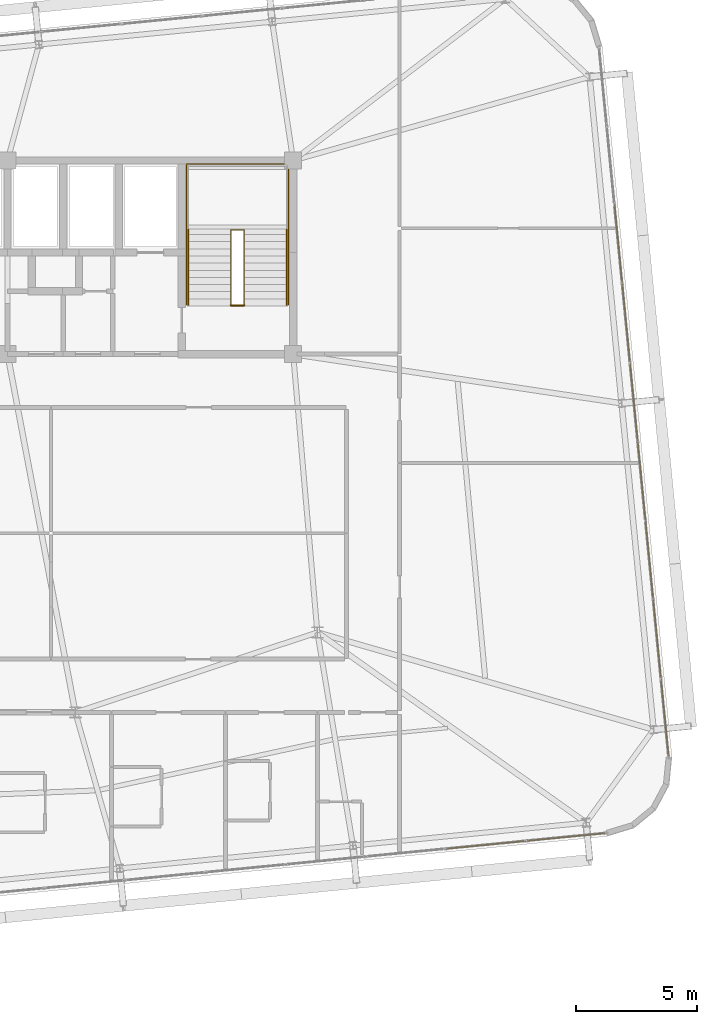
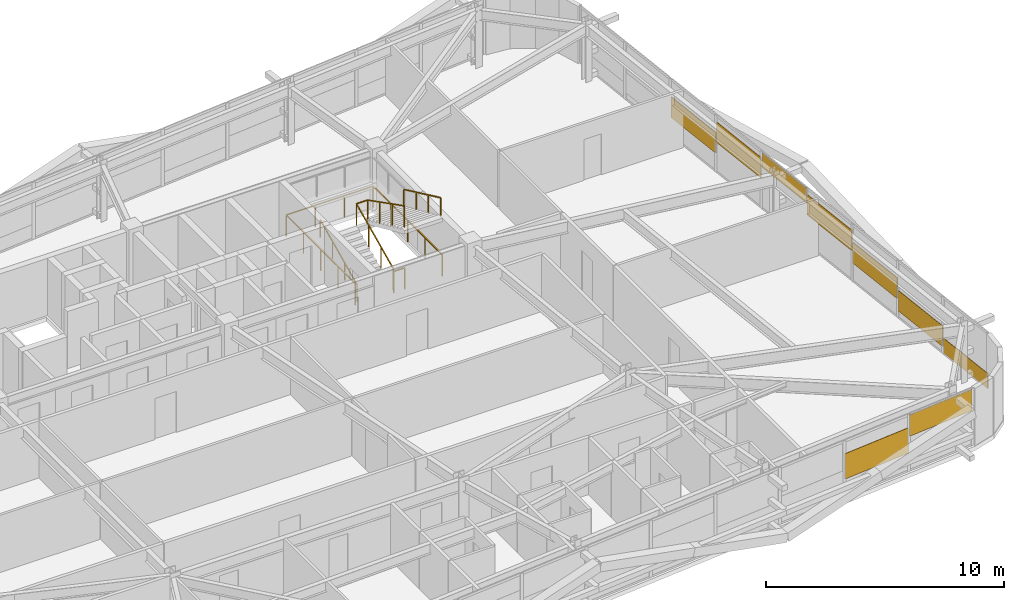
# One storey, part 53 of 54: 9 coverings, 5 railings.
"""IFC4 building model written with IfcOpenShell, lengths in metres."""

from ifc_helpers import new_model, si_unit, direction, frame, origin, origin_2d, place, context, subcontext, project, spatial, rectangle, extrude, source, transform, mapped, material, layer, layer_set, type_object, element, save


model = new_model("IFC4")

# Units and contexts
model_context = context("Model", 3, precision=1e-05, world=origin(), true_north=direction((0.0, 1.0)))
body_context = subcontext(model_context, "Body", "Model", "MODEL_VIEW")
ifc_project = project(units=[si_unit("LENGTHUNIT", "METRE"), si_unit("AREAUNIT", "SQUARE_METRE"), si_unit("VOLUMEUNIT", "CUBIC_METRE"), si_unit("PLANEANGLEUNIT", "RADIAN"), si_unit("MASSUNIT", "GRAM", prefix="KILO")], contexts=[model_context])

# Site, building, storey
site_placement = place(None, origin())
site = spatial("IfcSite", under=ifc_project, at=site_placement, CompositionType="ELEMENT")
building_placement = place(site_placement, origin())
building = spatial("IfcBuilding", under=site, at=building_placement, Name="Taldren Reach Tower", CompositionType="ELEMENT")
storey_placement = place(building_placement, frame((0.0, 0.0, 99.75)))
storey = spatial("IfcBuildingStorey", under=building, at=storey_placement, Name="L30", CompositionType="ELEMENT", Elevation=99.75)

# Railings
ifc_material_1 = material(Name="Steel Gr 350 (C350L0)", Category="steel")
ifc_layer_1 = layer(ifc_material_1, 0.050048828125)
ifc_layer_set_1 = layer_set([ifc_layer_1], Name="Steel Gr 350 (C350L0)")
railing_type_1 = type_object("IfcRailingType", Name="RL-STAIR-GR", PredefinedType="GUARDRAIL", material=ifc_layer_set_1)
railing_1_placement = place(storey_placement, frame((48.429931640625, 26.050048828125, 0.131103515625)))
element("IfcRailing", 1, at=railing_1_placement, inside=storey, type_object=railing_type_1, Name="Stairwell inner guard ST2-L30", PredefinedType="GUARDRAIL", context=body_context, shape_type="SweptSolid", body=[
    extrude(rectangle(XDim=0.047852, YDim=0.047852, at=origin_2d()), frame((0.0, 0.0, 1.09619140625), z_axis=(0.0, 0.905710134349, 0.423897573167), x_axis=(-1.0, 0.0, 0.0)), (0.0, 0.0, 1.0), 3.406005859375),
    extrude(rectangle(XDim=0.047852, YDim=0.047852, at=origin_2d()), frame((0.0, 3.0849609375, 2.5400390625), z_axis=(1.0, 0.0, 0.0), x_axis=(0.0, 1.0, 0.0)), (0.0, 0.0, 1.0), 0.5400390625),
    extrude(rectangle(XDim=0.047852, YDim=0.047852, at=origin_2d()), frame((0.5400390625, 3.0849609375, 2.5400390625), z_axis=(0.0, -0.890645957773, 0.45469745755), x_axis=(1.0, 0.0, 0.0)), (0.0, 0.0, 1.0), 3.463623046875),
    extrude(rectangle(XDim=0.041992, YDim=0.041992, at=origin_2d()), origin(), (0.0, 0.0, 1.0), 1.072021484375),
    extrude(rectangle(XDim=0.041992, YDim=0.041992, at=origin_2d()), frame((0.0, 1.0283203125, 0.481201171875)), (0.0, 0.0, 1.0), 1.072021484375),
    extrude(rectangle(XDim=0.041992, YDim=0.041992, at=origin_2d()), frame((0.0, 2.056640625, 0.962646484375)), (0.0, 0.0, 1.0), 1.072021484375),
    extrude(rectangle(XDim=0.041992, YDim=0.041992, at=origin_2d()), frame((0.0, 3.0849609375, 1.44384765625)), (0.0, 0.0, 1.0), 1.072021484375),
    extrude(rectangle(XDim=0.041992, YDim=0.041992, at=origin_2d()), frame((0.5400390625, 3.0849609375, 1.44384765625)), (0.0, 0.0, 1.0), 1.072021484375),
    extrude(rectangle(XDim=0.041992, YDim=0.041992, at=origin_2d()), frame((0.5400390625, 2.056640625, 1.96875)), (0.0, 0.0, 1.0), 1.072021484375),
    extrude(rectangle(XDim=0.041992, YDim=0.041992, at=origin_2d()), frame((0.5400390625, 1.0283203125, 2.493896484375)), (0.0, 0.0, 1.0), 1.072021484375),
    extrude(rectangle(XDim=0.041992, YDim=0.041992, at=origin_2d()), frame((0.5400390625, 0.0, 3.018798828125)), (0.0, 0.0, 1.0), 1.072021484375),
])
railing_2_placement = place(storey_placement, frame((48.429931640625, 26.010009765625, 0.0)))
element("IfcRailing", 2, at=railing_2_placement, inside=storey, type_object=railing_type_1, Name="Stairwell landing slot guard ST2-L30", PredefinedType="GUARDRAIL", context=body_context, shape_type="SweptSolid", body=[
    extrude(rectangle(XDim=0.047852, YDim=0.047852, at=origin_2d()), frame((0.0, 0.0, 1.09619140625), z_axis=(1.0, 0.0, 0.0), x_axis=(0.0, 1.0, 0.0)), (0.0, 0.0, 1.0), 0.5400390625),
    extrude(rectangle(XDim=0.041992, YDim=0.041992, at=origin_2d()), origin(), (0.0, 0.0, 1.0), 1.072021484375),
    extrude(rectangle(XDim=0.041992, YDim=0.041992, at=origin_2d()), frame((0.5400390625, 0.0, 0.0)), (0.0, 0.0, 1.0), 1.072021484375),
])
railing_3_placement = place(storey_placement, frame((46.590087890625, 26.050048828125, 0.0)))
element("IfcRailing", 3, at=railing_3_placement, inside=storey, type_object=railing_type_1, Name="Stairwell floor opening guard ST2-L30", PredefinedType="GUARDRAIL", context=body_context, shape_type="SweptSolid", body=[
    extrude(rectangle(XDim=0.047852, YDim=0.047852, at=origin_2d()), frame((0.0, 0.0, 1.09619140625), z_axis=(0.0, 1.0, 0.0), x_axis=(-1.0, 0.0, 0.0)), (0.0, 0.0, 1.0), 5.800048828125),
    extrude(rectangle(XDim=0.047852, YDim=0.047852, at=origin_2d()), frame((0.0, 5.800048828125, 1.09619140625), z_axis=(1.0, 0.0, 0.0), x_axis=(0.0, 1.0, 0.0)), (0.0, 0.0, 1.0), 4.219970703125),
    extrude(rectangle(XDim=0.047852, YDim=0.047852, at=origin_2d()), frame((4.219970703125, 5.800048828125, 1.09619140625), z_axis=(0.0, -1.0, 0.0), x_axis=(1.0, 0.0, 0.0)), (0.0, 0.0, 1.0), 5.800048828125),
    extrude(rectangle(XDim=0.041992, YDim=0.041992, at=origin_2d()), origin(), (0.0, 0.0, 1.0), 1.072021484375),
    extrude(rectangle(XDim=0.041992, YDim=0.041992, at=origin_2d()), frame((0.0, 1.449951171875, 0.0)), (0.0, 0.0, 1.0), 1.072021484375),
    extrude(rectangle(XDim=0.041992, YDim=0.041992, at=origin_2d()), frame((0.0, 2.89990234375, 0.0)), (0.0, 0.0, 1.0), 1.072021484375),
    extrude(rectangle(XDim=0.041992, YDim=0.041992, at=origin_2d()), frame((0.0, 4.35009765625, 0.0)), (0.0, 0.0, 1.0), 1.072021484375),
    extrude(rectangle(XDim=0.041992, YDim=0.041992, at=origin_2d()), frame((0.0, 5.800048828125, 0.0)), (0.0, 0.0, 1.0), 1.072021484375),
    extrude(rectangle(XDim=0.041992, YDim=0.041992, at=origin_2d()), frame((1.40673828125, 5.800048828125, 0.0)), (0.0, 0.0, 1.0), 1.072021484375),
    extrude(rectangle(XDim=0.041992, YDim=0.041992, at=origin_2d()), frame((2.813232421875, 5.800048828125, 0.0)), (0.0, 0.0, 1.0), 1.072021484375),
    extrude(rectangle(XDim=0.041992, YDim=0.041992, at=origin_2d()), frame((4.219970703125, 5.800048828125, 0.0)), (0.0, 0.0, 1.0), 1.072021484375),
    extrude(rectangle(XDim=0.041992, YDim=0.041992, at=origin_2d()), frame((4.219970703125, 4.35009765625, 0.0)), (0.0, 0.0, 1.0), 1.072021484375),
    extrude(rectangle(XDim=0.041992, YDim=0.041992, at=origin_2d()), frame((4.219970703125, 2.89990234375, 0.0)), (0.0, 0.0, 1.0), 1.072021484375),
    extrude(rectangle(XDim=0.041992, YDim=0.041992, at=origin_2d()), frame((4.219970703125, 1.449951171875, 0.0)), (0.0, 0.0, 1.0), 1.072021484375),
    extrude(rectangle(XDim=0.041992, YDim=0.041992, at=origin_2d()), frame((4.219970703125, 0.0, 0.0)), (0.0, 0.0, 1.0), 1.072021484375),
])
ifc_material_2 = material(Name="Stainless Steel Gr 316", Category="steel")
ifc_layer_2 = layer(ifc_material_2, 0.048095703125)
ifc_layer_set_2 = layer_set([ifc_layer_2], Name="Stainless Steel Gr 316")
railing_type_2 = type_object("IfcRailingType", Name="RL-STAIR-HR", PredefinedType="HANDRAIL", material=ifc_layer_set_2)
railing_4_placement = place(storey_placement, frame((46.669921875, 26.050048828125, 0.131103515625)))
element("IfcRailing", 4, at=railing_4_placement, inside=storey, type_object=railing_type_2, Name="Stair flight handrail ST2-L30-1", PredefinedType="HANDRAIL", context=body_context, shape_type="SweptSolid", body=[
    extrude(rectangle(XDim=0.047852, YDim=0.047852, at=origin_2d()), frame((0.0, 0.0, 0.89599609375), z_axis=(0.0, 0.905710134349, 0.423897573167), x_axis=(-1.0, 0.0, 0.0)), (0.0, 0.0, 1.0), 3.406005859375),
    extrude(rectangle(XDim=0.041992, YDim=0.041992, at=origin_2d()), origin(), (0.0, 0.0, 1.0), 0.871826171875),
    extrude(rectangle(XDim=0.041992, YDim=0.041992, at=origin_2d()), frame((0.0, 1.0283203125, 0.481201171875)), (0.0, 0.0, 1.0), 0.871826171875),
    extrude(rectangle(XDim=0.041992, YDim=0.041992, at=origin_2d()), frame((0.0, 2.056640625, 0.962646484375)), (0.0, 0.0, 1.0), 0.871826171875),
    extrude(rectangle(XDim=0.041992, YDim=0.041992, at=origin_2d()), frame((0.0, 3.0849609375, 1.44384765625)), (0.0, 0.0, 1.0), 0.871826171875),
])
railing_5_placement = place(storey_placement, frame((50.72998046875, 29.135009765625, 1.706298828125)))
element("IfcRailing", 5, at=railing_5_placement, inside=storey, type_object=railing_type_2, Name="Stair flight handrail ST2-L30-2", PredefinedType="HANDRAIL", context=body_context, shape_type="SweptSolid", body=[
    extrude(rectangle(XDim=0.047852, YDim=0.047852, at=origin_2d()), frame((0.0, 0.0, 0.89599609375), z_axis=(0.0, -0.905737652094, 0.423838773095), x_axis=(1.0, 0.0, 0.0)), (0.0, 0.0, 1.0), 3.406005859375),
    extrude(rectangle(XDim=0.041992, YDim=0.041992, at=origin_2d()), origin(), (0.0, 0.0, 1.0), 0.871826171875),
    extrude(rectangle(XDim=0.041992, YDim=0.041992, at=origin_2d()), frame((0.0, -1.0283203125, 0.481201171875)), (0.0, 0.0, 1.0), 0.871826171875),
    extrude(rectangle(XDim=0.041992, YDim=0.041992, at=origin_2d()), frame((0.0, -2.056640625, 0.96240234375)), (0.0, 0.0, 1.0), 0.871826171875),
    extrude(rectangle(XDim=0.041992, YDim=0.041992, at=origin_2d()), frame((0.0, -3.0849609375, 1.443603515625)), (0.0, 0.0, 1.0), 0.871826171875),
])

# Coverings
ifc_material_3 = material(Name="Pale Champagne Fluoropolymer Aluminium Spandrel Cladding", Category="aluminium")
ifc_layer_3 = layer(ifc_material_3, 0.0439453125)
ifc_layer_set_3 = layer_set([ifc_layer_3], Name="Pale Champagne Fluoropolymer Aluminium Spandrel Cladding")
covering_type = type_object("IfcCoveringType", Name="CV-CLAD-044", PredefinedType="CLADDING", material=ifc_layer_set_3)
shared_shape_1 = source(origin(), body_context, "Body", "SweptSolid", [
    extrude(rectangle(XDim=3.23583984375, YDim=0.0439453125, at=origin_2d()), origin(), (0.0, 0.0, 1.0), 1.094970703125),
])
covering_1_placement = place(storey_placement, frame((62.274169921875, 4.04931640625, 1.7802734375), z_axis=(0.0, 0.0, 1.0), x_axis=(0.995227390247, 0.097582999046, 0.0)))
element("IfcCovering", 6, at=covering_1_placement, inside=storey, type_object=covering_type, Name="Diagrid closure cladding strip CW-3 panel 15.1 1", PredefinedType="CLADDING", context=body_context, shape_type="MappedRepresentation", body=[
    mapped(shared_shape_1, transform((0.0, 0.0, 0.0), scale=1.0)),
])
shared_shape_2 = source(origin(), body_context, "Body", "SweptSolid", [
    extrude(rectangle(XDim=3.268310546875, YDim=0.0439453125, at=origin_2d()), origin(), (0.0, 0.0, 1.0), 1.3046875),
])
covering_2_placement = place(storey_placement, frame((58.972900390625, 3.7255859375, 0.943359375), z_axis=(0.0, 0.0, 1.0), x_axis=(0.995227390247, 0.097582999046, 0.0)))
element("IfcCovering", 7, at=covering_2_placement, inside=storey, type_object=covering_type, Name="Diagrid closure cladding strip CW-3 panel 14.1 1", PredefinedType="CLADDING", context=body_context, shape_type="MappedRepresentation", body=[
    mapped(shared_shape_2, transform((0.0, 0.0, 0.0), scale=1.0)),
])
shared_shape_3 = source(origin(), body_context, "Body", "SweptSolid", [
    extrude(rectangle(XDim=3.212890625, YDim=0.0439453125, at=origin_2d()), origin(), (0.0, 0.0, 1.0), 1.053466796875),
])
for number, where, z_axis, x_axis, name in (
    (8, (66.03662109375, 12.232177734375, 0.35986328125), (0.0, 0.0, 1.0), (-0.09758274098, 0.99522741555, 0.0), "Diagrid closure cladding strip CW-3 panel 2.1 1"),
    (9, (65.716796875, 15.494384765625, 0.94775390625), (0.0, 0.0, 1.0), (-0.09758274098, 0.99522741555, 0.0), "Diagrid closure cladding strip CW-3 panel 3.1 1"),
    (10, (65.39697265625, 18.756591796875, 1.53564453125), (0.0, 0.0, 1.0), (-0.09758274098, 0.99522741555, 0.0), "Diagrid closure cladding strip CW-3 panel 4.1 1"),
    (11, (64.757080078125, 25.28076171875, 1.53564453125), (0.0, 0.0, 1.0), (-0.09758274098, 0.99522741555, 0.0), "Diagrid closure cladding strip CW-3 panel 6.1 1"),
    (12, (64.437255859375, 28.54296875, 0.94775390625), (0.0, 0.0, 1.0), (-0.09758274098, 0.99522741555, 0.0), "Diagrid closure cladding strip CW-3 panel 7.1 1"),
):
    element("IfcCovering", number, at=place(storey_placement, frame(where, z_axis=z_axis, x_axis=x_axis)), inside=storey, type_object=covering_type, Name=name, PredefinedType="CLADDING", context=body_context, shape_type="MappedRepresentation", body=[
        mapped(shared_shape_3, transform((0.0, 0.0, 0.0), scale=1.0)),
    ])
shared_shape_4 = source(origin(), body_context, "Body", "SweptSolid", [
    extrude(rectangle(XDim=3.18017578125, YDim=0.0439453125, at=origin_2d()), origin(), (0.0, 0.0, 1.0), 0.7705078125),
])
covering_3_placement = place(storey_placement, frame((66.35498046875, 8.986328125, 0.054931640625), z_axis=(0.0, 0.0, 1.0), x_axis=(-0.09758274098, 0.99522741555, 0.0)))
element("IfcCovering", 13, at=covering_3_placement, inside=storey, type_object=covering_type, Name="Diagrid closure cladding strip CW-3 panel 1.1 1", PredefinedType="CLADDING", context=body_context, shape_type="MappedRepresentation", body=[
    mapped(shared_shape_4, transform((0.0, 0.0, 0.0), scale=1.0)),
])
shared_shape_5 = source(origin(), body_context, "Body", "SweptSolid", [
    extrude(rectangle(XDim=3.212890625, YDim=0.0439453125, at=origin_2d()), origin(), (0.0, 0.0, 1.0), 0.751708984375),
])
covering_4_placement = place(storey_placement, frame((65.0771484375, 22.0185546875, 2.123046875), z_axis=(0.0, 0.0, 1.0), x_axis=(-0.09758274098, 0.99522741555, 0.0)))
element("IfcCovering", 14, at=covering_4_placement, inside=storey, type_object=covering_type, Name="Diagrid closure cladding strip CW-3 panel 5.1 1", PredefinedType="CLADDING", context=body_context, shape_type="MappedRepresentation", body=[
    mapped(shared_shape_5, transform((0.0, 0.0, 0.0), scale=1.0)),
])

save(model, "model.ifc")
